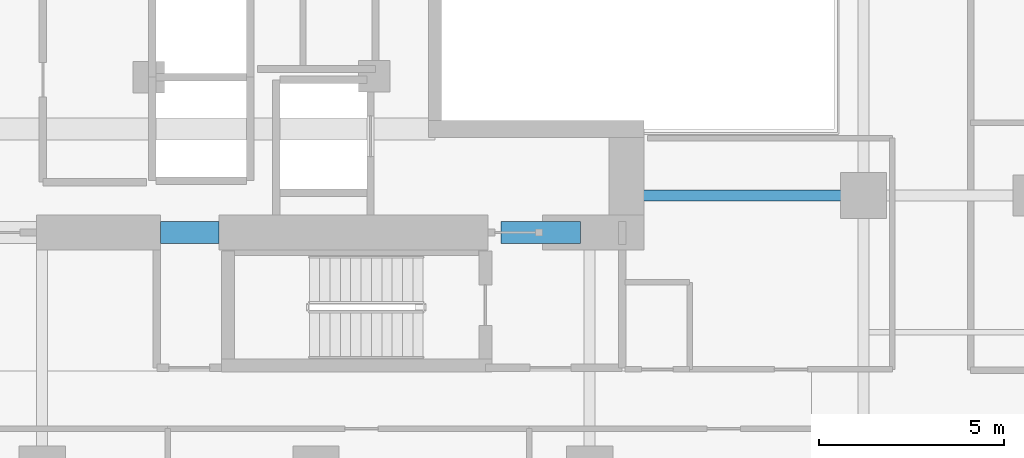
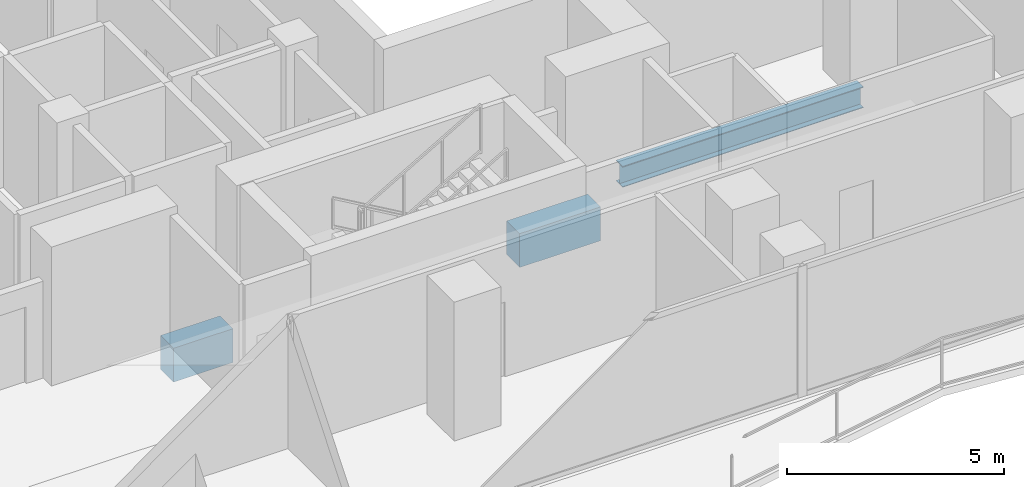
# One storey, part 5 of 28: 3 beams.
"""IFC4 building model written with IfcOpenShell, lengths in metres."""

from ifc_helpers import new_model, si_unit, direction, frame, origin, origin_2d, place, context, subcontext, project, spatial, rectangle, i_section, extrude, material, material_profile, profile_set, type_object, element, save


model = new_model("IFC4")

# Units and contexts
model_context = context("Model", 3, precision=1e-05, world=origin(), true_north=direction((0.0, 1.0)))
body_context = subcontext(model_context, "Body", "Model", "MODEL_VIEW")
ifc_project = project(units=[si_unit("LENGTHUNIT", "METRE"), si_unit("AREAUNIT", "SQUARE_METRE"), si_unit("VOLUMEUNIT", "CUBIC_METRE"), si_unit("PLANEANGLEUNIT", "RADIAN"), si_unit("MASSUNIT", "GRAM", prefix="KILO")], contexts=[model_context])

# Site, building, storey
site_placement = place(None, origin())
site = spatial("IfcSite", under=ifc_project, at=site_placement, CompositionType="ELEMENT")
building_placement = place(site_placement, origin())
building = spatial("IfcBuilding", under=site, at=building_placement, Name="Khorvyn Point Tower", CompositionType="ELEMENT")
storey_placement = place(building_placement, frame((0.0, 0.0, 121.199951171875)))
storey = spatial("IfcBuildingStorey", under=building, at=storey_placement, Name="L30", CompositionType="ELEMENT", Elevation=121.199951171875)

# Beams
ifc_material_1 = material(Name="Concrete C50/60", Category="concrete")
ifc_material_profile_1 = material_profile(ifc_material_1, rectangle(XDim=0.60009765625, YDim=0.949951171875, at=origin_2d()))
ifc_profile_set_1 = profile_set([ifc_material_profile_1], Name="Concrete C50/60 RC600x950")
beam_type_1 = type_object("IfcBeamType", Name="Concrete C50/60 Beam RC600x950", PredefinedType="BEAM", material=ifc_profile_set_1)
beam_1_placement = place(storey_placement, frame((-4.199951171875, -8.39990234375, -0.695068359375), z_axis=(1.0, 0.0, 0.0), x_axis=(0.0, 1.0, 0.0)))
element("IfcBeam", 1, at=beam_1_placement, inside=storey, type_object=beam_type_1, Name="L30 Core Shuttle Portal Coupling Beam", PredefinedType="BEAM", context=body_context, shape_type="SweptSolid", body=[
    extrude(rectangle(XDim=0.60009765625, YDim=0.949951171875, at=origin_2d()), origin(), (0.0, 0.0, 1.0), 1.579833984375),
])
beam_2_placement = place(storey_placement, frame((5.0, -8.39990234375, -0.695068359375), z_axis=(1.0, 0.0, 0.0), x_axis=(0.0, 1.0, 0.0)))
element("IfcBeam", 2, at=beam_2_placement, inside=storey, type_object=beam_type_1, Name="L30 Core Southeast Portal Coupling Beam", PredefinedType="BEAM", context=body_context, shape_type="SweptSolid", body=[
    extrude(rectangle(XDim=0.60009765625, YDim=0.949951171875, at=origin_2d()), origin(), (0.0, 0.0, 1.0), 2.14990234375),
])
ifc_material_2 = material(Name="Steel S355", Category="steel")
ifc_material_profile_2 = material_profile(ifc_material_2, i_section(OverallWidth=0.300048828125, OverallDepth=0.587890625, WebThickness=0.011962890625, FlangeThickness=0.02001953125, at=origin_2d()))
ifc_profile_set_2 = profile_set([ifc_material_profile_2], Name="Steel S355 H588x300x12x20")
beam_type_2 = type_object("IfcBeamType", Name="Steel S355 Beam H588x300x12x20", PredefinedType="BEAM", material=ifc_profile_set_2)
beam_3_placement = place(storey_placement, frame((8.39990234375, -7.39990234375, -0.513916015625), z_axis=(1.0, 0.0, 0.0), x_axis=(0.0, 1.0, 0.0)))
element("IfcBeam", 3, at=beam_3_placement, inside=storey, type_object=beam_type_2, Name="Beam", PredefinedType="BEAM", context=body_context, shape_type="SweptSolid", body=[
    extrude(i_section(OverallWidth=0.300048828125, OverallDepth=0.587890625, WebThickness=0.011962890625, FlangeThickness=0.02001953125, at=origin_2d()), origin(), (0.0, 0.0, 1.0), 6.400146484375),
])

save(model, "model.ifc")
